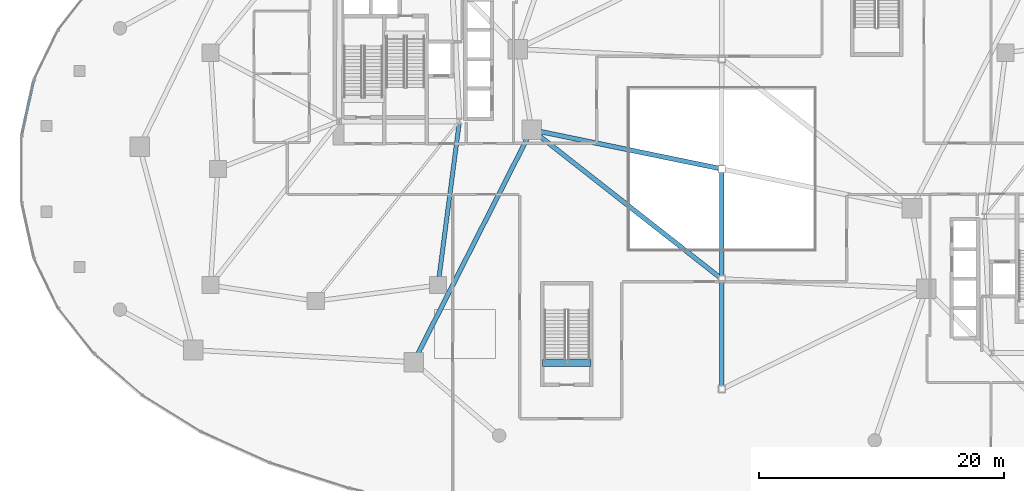
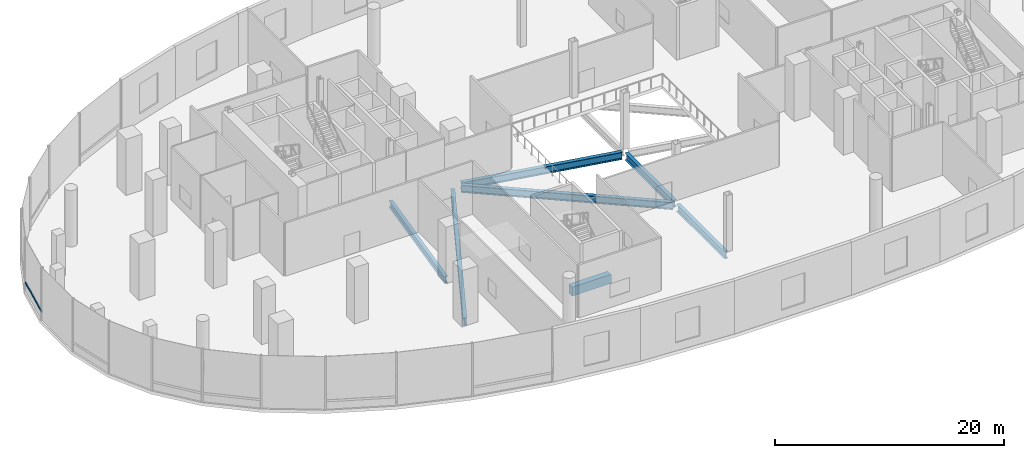
# One storey, part 4 of 20: 7 beams, 1 member, 1 element without a shape of its own.
"""IFC4 building model written with IfcOpenShell, lengths in metres."""

from ifc_helpers import new_model, si_unit, direction, frame, origin, origin_2d, place, context, subcontext, project, spatial, rectangle, i_section, extrude, material, material_profile, profile_set, type_object, element, aggregate, save


model = new_model("IFC4")

# Units and contexts
model_context = context("Model", 3, precision=1e-05, world=origin(), true_north=direction((0.0, 1.0)))
body_context = subcontext(model_context, "Body", "Model", "MODEL_VIEW")
ifc_project = project(units=[si_unit("LENGTHUNIT", "METRE"), si_unit("AREAUNIT", "SQUARE_METRE"), si_unit("VOLUMEUNIT", "CUBIC_METRE"), si_unit("PLANEANGLEUNIT", "RADIAN"), si_unit("MASSUNIT", "GRAM", prefix="KILO"), si_unit("THERMODYNAMICTEMPERATUREUNIT", "KELVIN"), si_unit("POWERUNIT", "WATT")], contexts=[model_context])

# Site, building, storey
site_placement = place(None, origin())
site = spatial("IfcSite", under=ifc_project, at=site_placement, CompositionType="ELEMENT")
building_placement = place(site_placement, origin())
building = spatial("IfcBuilding", under=site, at=building_placement, Name="Cundina Bronze Exchange", CompositionType="ELEMENT")
storey_placement = place(building_placement, frame((0.0, 0.0, 6.0)))
storey = spatial("IfcBuildingStorey", under=building, at=storey_placement, Name="L01", CompositionType="ELEMENT", Elevation=6.0)

# Beams
ifc_material_1 = material(Name="Concrete C60/75", Category="concrete")
ifc_material_profile_1 = material_profile(ifc_material_1, rectangle(XDim=0.60009765625, YDim=0.949951171875, at=origin_2d()), Name="RC600X950", Category="concrete")
ifc_profile_set_1 = profile_set([ifc_material_profile_1], Name="Concrete C60/75")
beam_type_1 = type_object("IfcBeamType", Name="BM-COUP-RC950", PredefinedType="LINTEL", material=ifc_profile_set_1)
beam_1_placement = place(storey_placement, frame((-14.639892578125, -15.8701171875, -0.47509765625), z_axis=(1.0, 0.0, 0.0), x_axis=(0.0, 1.0, 0.0)))
element("IfcBeam", 1, at=beam_1_placement, inside=storey, type_object=beam_type_1, Name="L01 Concourse Stair W Landing Header Beam", PredefinedType="LINTEL", context=body_context, shape_type="SweptSolid", body=[
    extrude(rectangle(XDim=0.60009765625, YDim=0.949951171875, at=origin_2d()), origin(), (0.0, 0.0, 1.0), 3.93994140625),
])
ifc_material_2 = material(Name="Steel ASTM A992 Grade 50", Category="steel")
ifc_material_profile_2 = material_profile(ifc_material_2, i_section(OverallWidth=0.35498046875, OverallDepth=0.695068359375, WebThickness=0.015380859375, FlangeThickness=0.02490234375, FilletRadius=0.01806640625, at=origin_2d()), Name="W27X146", Category="steel")
ifc_profile_set_2 = profile_set([ifc_material_profile_2], Name="Steel ASTM A992 Grade 50")
beam_type_2 = type_object("IfcBeamType", Name="BM-RING-W27", PredefinedType="USERDEFINED", material=ifc_profile_set_2)
beam_2_placement = place(storey_placement, frame((-23.11083984375, -8.81787109375, -0.697509765625), z_axis=(0.129498776905, 0.991579581668, 0.0), x_axis=(-0.991579581668, 0.129498776905, 0.0)))
element("IfcBeam", 2, at=beam_2_placement, inside=storey, type_object=beam_type_2, Name="L01 W Inner Structural Ring Girder 07", ObjectType="GIRDER", PredefinedType="USERDEFINED", context=body_context, shape_type="SweptSolid", body=[
    extrude(i_section(OverallWidth=0.35498046875, OverallDepth=0.695068359375, WebThickness=0.015380859375, FlangeThickness=0.02490234375, FilletRadius=0.01806640625, at=origin_2d()), origin(), (0.0, 0.0, 1.0), 12.621826171875),
])
ifc_material_profile_3 = material_profile(ifc_material_2, i_section(OverallWidth=0.381103515625, OverallDepth=0.77294921875, WebThickness=0.0166015625, FlangeThickness=0.027099609375, FilletRadius=0.01904296875, at=origin_2d()), Name="W30X173", Category="steel")
ifc_profile_set_3 = profile_set([ifc_material_profile_3], Name="Steel ASTM A992 Grade 50")
beam_type_3 = type_object("IfcBeamType", Name="BM-RING-W30", PredefinedType="USERDEFINED", material=ifc_profile_set_3)
for number, where, z_axis, x_axis, name in (
    (3, (0.0, -17.7119140625, -0.736572265625), (0.0, 1.0, 0.0), (-1.0, 0.0, 0.0), "L01 Concourse Spine Longitudinal Girder 01"),
    (4, (0.0, -8.7119140625, -0.736572265625), (0.0, 1.0, 0.0), (-1.0, 0.0, 0.0), "L01 Concourse Spine Longitudinal Girder 02"),
):
    element("IfcBeam", number, at=place(storey_placement, frame(where, z_axis=z_axis, x_axis=x_axis)), inside=storey, type_object=beam_type_3, Name=name, ObjectType="GIRDER", PredefinedType="USERDEFINED", context=body_context, shape_type="SweptSolid", body=[
        extrude(i_section(OverallWidth=0.381103515625, OverallDepth=0.77294921875, WebThickness=0.0166015625, FlangeThickness=0.027099609375, FilletRadius=0.01904296875, at=origin_2d()), origin(), (0.0, 0.0, 1.0), 8.423828125),
    ])
beam_3_placement = place(storey_placement, frame((-14.929931640625, 2.713623046875, -0.736572265625), z_axis=(0.786753774413, -0.617266958817, 0.0), x_axis=(0.617266958817, 0.786753774413, 0.0)))
element("IfcBeam", 5, at=beam_3_placement, inside=storey, type_object=beam_type_3, Name="L01 Concourse West Span Girder 02", ObjectType="GIRDER", PredefinedType="USERDEFINED", context=body_context, shape_type="SweptSolid", body=[
    extrude(i_section(OverallWidth=0.381103515625, OverallDepth=0.77294921875, WebThickness=0.0166015625, FlangeThickness=0.027099609375, FilletRadius=0.01904296875, at=origin_2d()), origin(), (0.0, 0.0, 1.0), 18.688720703125),
])
beam_4_placement = place(storey_placement, frame((-14.7783203125, 3.041259765625, -0.736572265625), z_axis=(0.979475533682, -0.201563089177, 0.0), x_axis=(0.201563089177, 0.979475533682, 0.0)))
element("IfcBeam", 6, at=beam_4_placement, inside=storey, type_object=beam_type_3, Name="L01 Concourse West Span Girder 03", ObjectType="GIRDER", PredefinedType="USERDEFINED", context=body_context, shape_type="SweptSolid", body=[
    extrude(i_section(OverallWidth=0.381103515625, OverallDepth=0.77294921875, WebThickness=0.0166015625, FlangeThickness=0.027099609375, FilletRadius=0.01904296875, at=origin_2d()), origin(), (0.0, 0.0, 1.0), 14.800048828125),
])
beam_5_placement = place(storey_placement, frame((-24.84326171875, -15.097412109375, -0.736572265625), z_axis=(0.452846100384, 0.891588699663, 0.0), x_axis=(-0.891588699663, 0.452846100384, 0.0)))
element("IfcBeam", 7, at=beam_5_placement, inside=storey, type_object=beam_type_3, Name="L01 W Podium Ring Girder 12", ObjectType="GIRDER", PredefinedType="USERDEFINED", context=body_context, shape_type="SweptSolid", body=[
    extrude(i_section(OverallWidth=0.381103515625, OverallDepth=0.77294921875, WebThickness=0.0166015625, FlangeThickness=0.027099609375, FilletRadius=0.01904296875, at=origin_2d()), origin(), (0.0, 0.0, 1.0), 19.734130859375),
])

# Curtain wall, member
ifc_material_3 = material(Name="Anodised Bronze Aluminium 6063-T6", Category="aluminium")
curtain_wall_type = type_object("IfcCurtainWallType", Name="CWS-POD-CONC", PredefinedType="NOTDEFINED", material=ifc_material_3)
curtain_wall_placement = place(storey_placement, origin())
curtain_wall = element("IfcCurtainWall", 8, at=curtain_wall_placement, inside=storey, type_object=curtain_wall_type, Name="L01 CW-01 Curtain Wall Run CWR-L01-04", PredefinedType="NOTDEFINED")
ifc_material_profile_4 = material_profile(ifc_material_3, rectangle(XDim=0.080078125, YDim=0.2099609375, at=origin_2d()), Name="AL80X210", Category="aluminium")
ifc_profile_set_4 = profile_set([ifc_material_profile_4], Name="Anodised Bronze Aluminium 6063-T6")
member_type = type_object("IfcMemberType", Name="CWM-TRN-210", PredefinedType="USERDEFINED", material=ifc_profile_set_4)
member_placement = place(storey_placement, frame((-56.249267578125, 7.18603515625, 0.919921875), z_axis=(-0.214447065297, -0.976735612224, 0.0), x_axis=(0.976735612224, -0.214447065297, 0.0)))
member = element("IfcMember", 9, at=member_placement, type_object=member_type, Name="CW-01 Spandrel Transom 1", ObjectType="TRANSOM", PredefinedType="USERDEFINED", context=body_context, shape_type="SweptSolid", body=[
    extrude(rectangle(XDim=0.080078125, YDim=0.2099609375, at=origin_2d()), origin(), (0.0, 0.0, 1.0), 4.571044921875),
])
aggregate(curtain_wall, [member])

save(model, "model.ifc")
